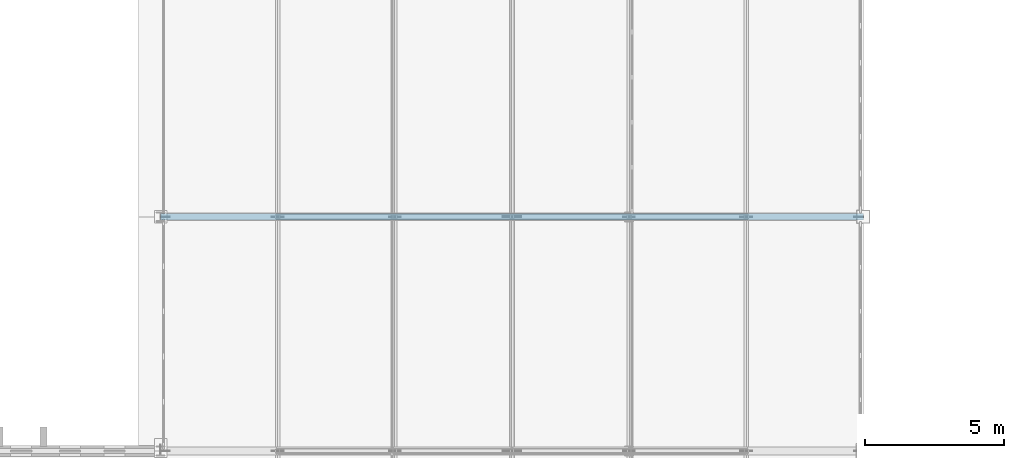
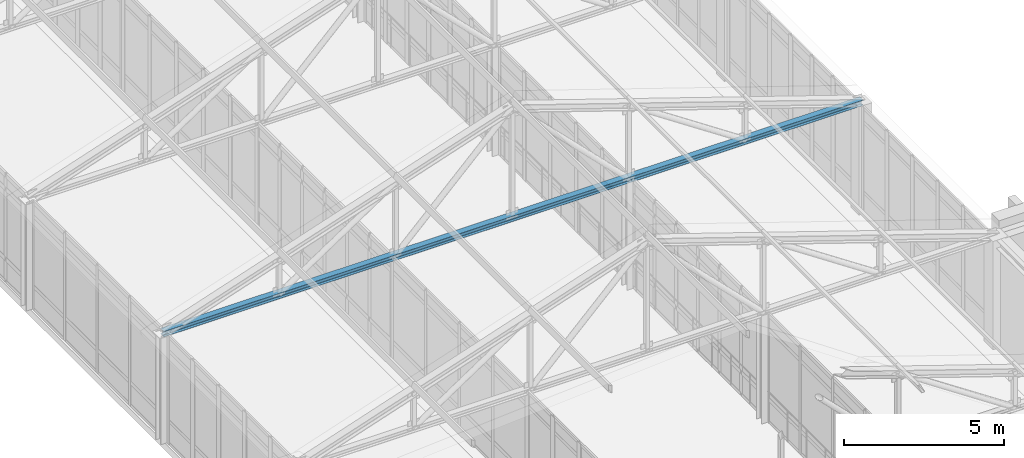
# One storey, part 45 of 192: 1 member.
"""IFC4 building model written with IfcOpenShell, lengths in metres."""

from ifc_helpers import new_model, si_unit, direction, frame, origin, origin_2d, place, context, subcontext, project, spatial, i_section, extrude, material, material_profile, profile_set, type_object, element, save


model = new_model("IFC4")

# Units and contexts
model_context = context("Model", 3, precision=1e-05, world=origin(), true_north=direction((0.0, 1.0)))
body_context = subcontext(model_context, "Body", "Model", "MODEL_VIEW")
ifc_project = project(units=[si_unit("LENGTHUNIT", "METRE"), si_unit("AREAUNIT", "SQUARE_METRE"), si_unit("VOLUMEUNIT", "CUBIC_METRE"), si_unit("PLANEANGLEUNIT", "RADIAN"), si_unit("MASSUNIT", "GRAM", prefix="KILO")], contexts=[model_context])

# Site, building, storey
site_placement = place(None, origin())
site = spatial("IfcSite", under=ifc_project, at=site_placement, CompositionType="ELEMENT")
building_placement = place(site_placement, origin())
building = spatial("IfcBuilding", under=site, at=building_placement, Name="Kveldsbrygga Polytechnic", CompositionType="ELEMENT")
storey_placement = place(building_placement, frame((0.0, 0.0, 5.43994140625)))
storey = spatial("IfcBuildingStorey", under=building, at=storey_placement, Name="L01", CompositionType="ELEMENT", Elevation=5.43994140625)

# Member
ifc_material = material(Name="Steel S355", Category="steel")
ifc_material_profile = material_profile(ifc_material, i_section(OverallWidth=0.219970703125, OverallDepth=0.2099609375, WebThickness=0.007080078125, FlangeThickness=0.010986328125, FilletRadius=0.01806640625, at=origin_2d()), Name="HEA 220")
ifc_profile_set = profile_set([ifc_material_profile], Name="Steel S355")
member_type = type_object("IfcMemberType", Name="TR-BOT-HEA220", PredefinedType="CHORD", material=ifc_profile_set)
member_placement = place(storey_placement, frame((50.39990234375, 33.60009765625, 4.1201171875), z_axis=(1.0, 0.0, 0.0), x_axis=(0.0, 1.0, 0.0)))
element("IfcMember", 1, at=member_placement, inside=storey, type_object=member_type, Name="Truss Bottom Chord V5C-T04-BC-1", PredefinedType="CHORD", context=body_context, shape_type="SweptSolid", body=[
    extrude(i_section(OverallWidth=0.219970703125, OverallDepth=0.2099609375, WebThickness=0.007080078125, FlangeThickness=0.010986328125, FilletRadius=0.01806640625, at=origin_2d()), origin(), (0.0, 0.0, 1.0), 25.2001953125),
])

save(model, "model.ifc")
